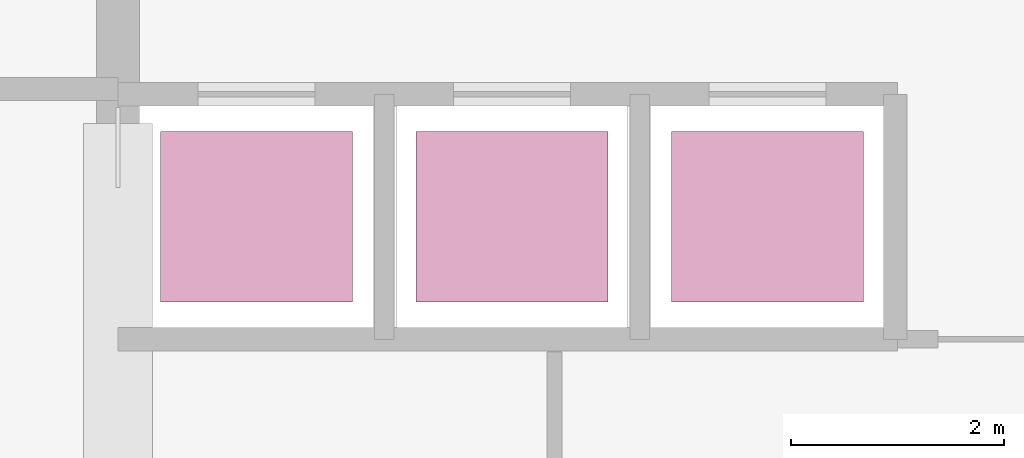
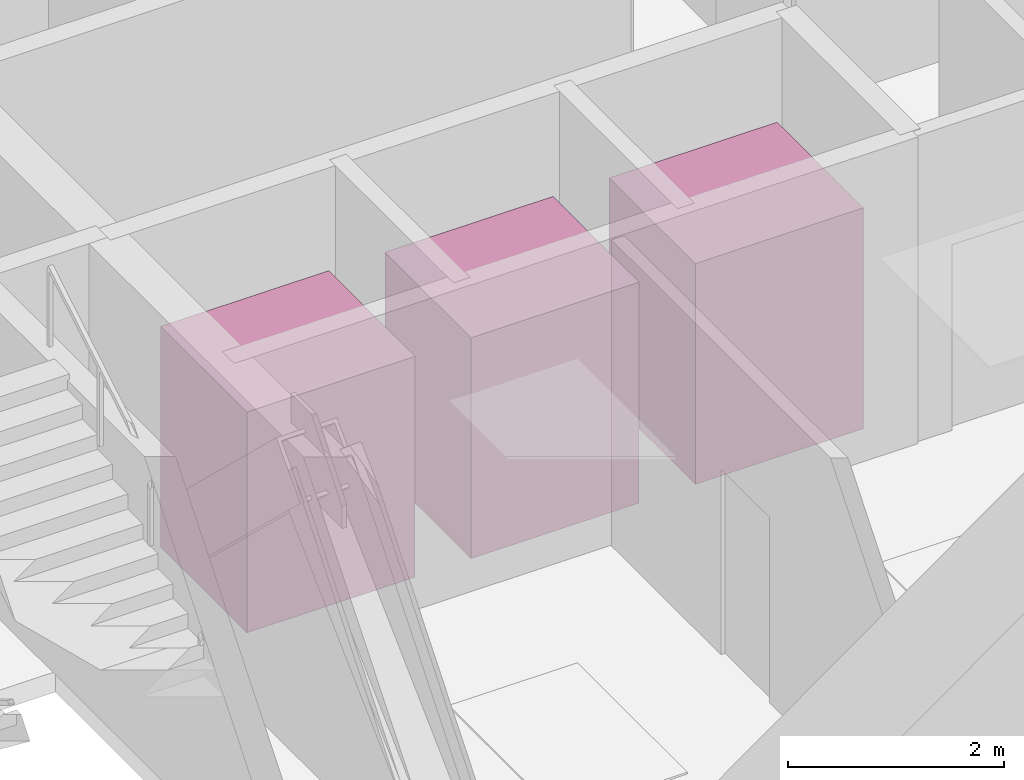
# One storey, part 16 of 16: 3 transport elements.
"""IFC4 building model written with IfcOpenShell, lengths in metres."""

from ifc_helpers import new_model, si_unit, direction, frame, origin, origin_2d, place, context, subcontext, project, spatial, rectangle, extrude, source, transform, mapped, material, type_object, type_shapes, element, save


model = new_model("IFC4")

# Units and contexts
model_context = context("Model", 3, precision=1e-05, world=origin(), true_north=direction((0.0, 1.0)))
body_context = subcontext(model_context, "Body", "Model", "MODEL_VIEW")
ifc_project = project(units=[si_unit("LENGTHUNIT", "METRE"), si_unit("AREAUNIT", "SQUARE_METRE"), si_unit("VOLUMEUNIT", "CUBIC_METRE"), si_unit("PLANEANGLEUNIT", "RADIAN"), si_unit("MASSUNIT", "GRAM", prefix="KILO")], contexts=[model_context])

# Site, building, storey
site_placement = place(None, origin())
site = spatial("IfcSite", under=ifc_project, at=site_placement, CompositionType="ELEMENT")
building_placement = place(site_placement, origin())
building = spatial("IfcBuilding", under=site, at=building_placement, Name="Varnakhor Terracotta Tower", CompositionType="ELEMENT")
storey_placement = place(building_placement, frame((0.0, 0.0, 151.5)))
storey = spatial("IfcBuildingStorey", under=building, at=storey_placement, Name="L38", CompositionType="ELEMENT", Elevation=151.5)

# Transport elements
ifc_material = material(Name="Stainless Steel Passenger Lift Car", Category="steel")
transport_element_type = type_object("IfcTransportElementType", Name="LIFT-PASS-BANK2", PredefinedType="ELEVATOR", material=ifc_material)
shared_shape = source(origin(), body_context, "Body", "SweptSolid", [
    extrude(rectangle(XDim=1.800048828125, YDim=1.60009765625, at=origin_2d()), origin(), (0.0, 0.0, 1.0), 2.5),
])
type_shapes(transport_element_type, [shared_shape])
for number, where, z_axis, x_axis, name in (
    (1, (-4.199951171875, 7.14990234375, 0.0), (0.0, 0.0, 1.0), (1.0, 0.0, 0.0), "Passenger Lift PL-2A"),
    (2, (-1.800048828125, 7.14990234375, 0.0), (0.0, 0.0, 1.0), (1.0, 0.0, 0.0), "Passenger Lift PL-2B"),
    (3, (0.60009765625, 7.14990234375, 0.0), (0.0, 0.0, 1.0), (1.0, 0.0, 0.0), "Passenger Lift PL-2C"),
):
    element("IfcTransportElement", number, at=place(storey_placement, frame(where, z_axis=z_axis, x_axis=x_axis)), inside=storey, type_object=transport_element_type, Name=name, PredefinedType="ELEVATOR", context=body_context, shape_type="MappedRepresentation", body=[
        mapped(shared_shape, transform((0.0, 0.0, 0.0), scale=1.0)),
    ])

save(model, "model.ifc")
